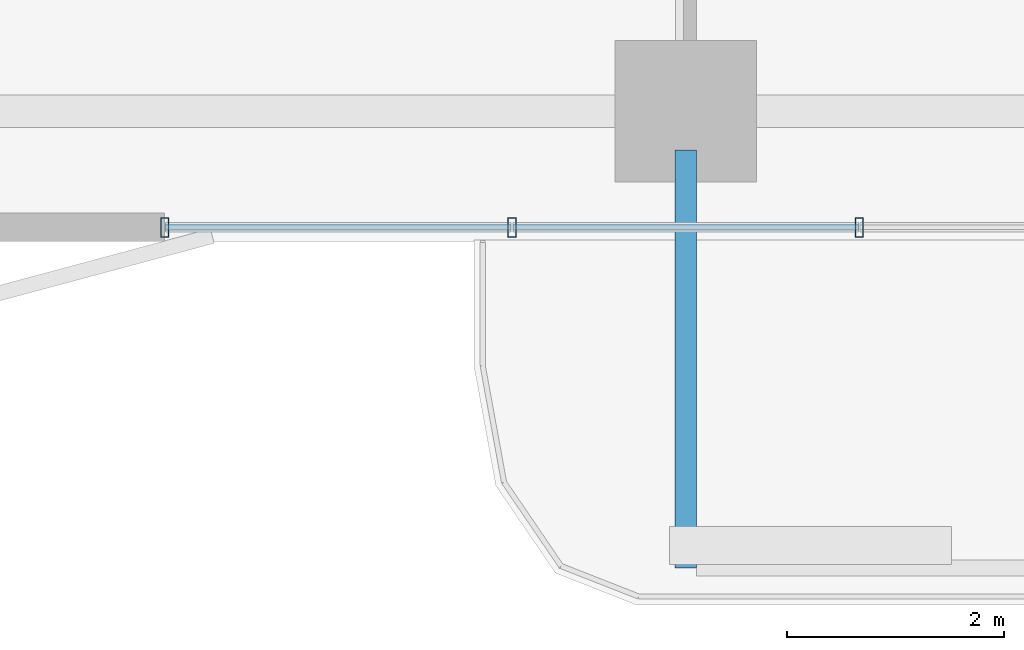
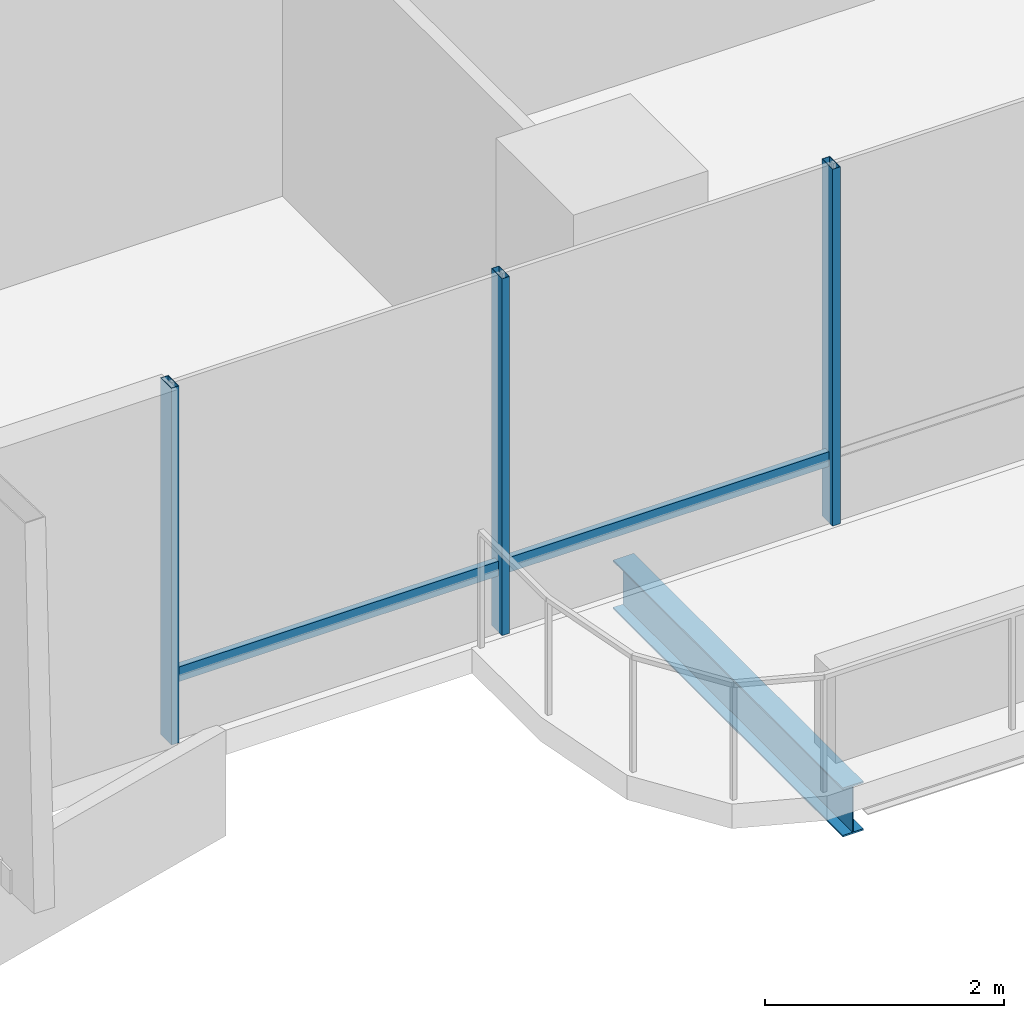
# One storey, part 2 of 24: 5 members, 1 beam, 1 element without a shape of its own.
"""IFC4 building model written with IfcOpenShell, lengths in metres."""

from ifc_helpers import new_model, si_unit, direction, frame, origin, origin_2d, place, context, subcontext, project, spatial, hollow_rectangle, i_section, extrude, material, layer, layer_set, material_profile, profile_set, type_object, element, aggregate, save


model = new_model("IFC4")

# Units and contexts
model_context = context("Model", 3, precision=1e-05, world=origin(), true_north=direction((0.0, 1.0)))
body_context = subcontext(model_context, "Body", "Model", "MODEL_VIEW")
ifc_project = project(units=[si_unit("LENGTHUNIT", "METRE"), si_unit("AREAUNIT", "SQUARE_METRE"), si_unit("VOLUMEUNIT", "CUBIC_METRE"), si_unit("PLANEANGLEUNIT", "RADIAN"), si_unit("MASSUNIT", "GRAM", prefix="KILO")], contexts=[model_context])

# Site, building, storey
site_placement = place(None, origin())
site = spatial("IfcSite", under=ifc_project, at=site_placement, CompositionType="ELEMENT")
building_placement = place(site_placement, origin())
building = spatial("IfcBuilding", under=site, at=building_placement, Name="Belovzor Exchange Tower", CompositionType="ELEMENT")
storey_placement = place(building_placement, frame((0.0, 0.0, 121.199951171875)))
storey = spatial("IfcBuildingStorey", under=building, at=storey_placement, Name="L29", CompositionType="ELEMENT", Elevation=121.199951171875)

# Beam
ifc_material_1 = material(Name="Steel S355", Category="steel")
ifc_material_profile_1 = material_profile(ifc_material_1, i_section(OverallWidth=0.199951171875, OverallDepth=0.5, WebThickness=0.01025390625, FlangeThickness=0.01611328125, at=origin_2d()))
ifc_profile_set_1 = profile_set([ifc_material_profile_1], Name="Steel S355")
beam_type = type_object("IfcBeamType", Name="Planted Balcony Cantilever Beam IPE 500", PredefinedType="BEAM", material=ifc_profile_set_1)
beam_placement = place(storey_placement, frame((28.800048828125, 3.5419921875, -0.5), z_axis=(0.0, -1.0, 0.0), x_axis=(1.0, 0.0, 0.0)))
element("IfcBeam", 1, at=beam_placement, inside=storey, type_object=beam_type, Name="BC-500 Planted Balcony Cantilever Beam IPE 500", PredefinedType="BEAM", context=body_context, shape_type="SweptSolid", body=[
    extrude(i_section(OverallWidth=0.199951171875, OverallDepth=0.5, WebThickness=0.01025390625, FlangeThickness=0.01611328125, at=origin_2d()), origin(), (0.0, 0.0, 1.0), 3.85009765625),
])

# Curtain wall, members
ifc_material_2 = material(Name="Anodised Aluminium Framing", Category="aluminium")
ifc_layer = layer(ifc_material_2, 0.179931640625)
ifc_layer_set = layer_set([ifc_layer], Name="Anodised Aluminium Framing")
curtain_wall_type = type_object("IfcCurtainWallType", Name="Recessed Loggia Low-Iron Triple-Glazed Curtain Wall", PredefinedType="NOTDEFINED", material=ifc_layer_set)
curtain_wall_placement = place(storey_placement, origin())
curtain_wall = element("IfcCurtainWall", 2, at=curtain_wall_placement, inside=storey, type_object=curtain_wall_type, Name="CW3 Recessed Loggia Low-Iron Triple-Glazed Curtain Wall L29", PredefinedType="NOTDEFINED")
ifc_material_3 = material(Name="Steel S355", Category="steel")
ifc_material_profile_2 = material_profile(ifc_material_3, hollow_rectangle(XDim=0.074951171875, YDim=0.179931640625, WallThickness=0.0048828125, at=origin_2d()))
ifc_profile_set_2 = profile_set([ifc_material_profile_2], Name="Steel S355")
member_type_1 = type_object("IfcMemberType", Name="Thermally Broken Curtain Wall Mullion 180x75", PredefinedType="MULLION", material=ifc_profile_set_2)
member_1_placement = place(storey_placement, frame((30.39990234375, 2.830078125, 0.0), z_axis=(0.0, 0.0, 1.0), x_axis=(-1.0, 0.0, 0.0)))
member_1 = element("IfcMember", 3, at=member_1_placement, type_object=member_type_1, Name="CW-M180 Curtain Wall Mullion 2", PredefinedType="MULLION", context=body_context, shape_type="SweptSolid", body=[
    extrude(hollow_rectangle(XDim=0.074951171875, YDim=0.179931640625, WallThickness=0.0048828125, at=origin_2d()), origin(), (0.0, 0.0, 1.0), 3.650146484375),
])
member_2_placement = place(storey_placement, frame((27.199951171875, 2.830078125, 0.0), z_axis=(0.0, 0.0, 1.0), x_axis=(-1.0, 0.0, 0.0)))
member_2 = element("IfcMember", 4, at=member_2_placement, type_object=member_type_1, Name="CW-M180 Curtain Wall Mullion 3", PredefinedType="MULLION", context=body_context, shape_type="SweptSolid", body=[
    extrude(hollow_rectangle(XDim=0.074951171875, YDim=0.179931640625, WallThickness=0.0048828125, at=origin_2d()), origin(), (0.0, 0.0, 1.0), 3.650146484375),
])
member_3_placement = place(storey_placement, frame((24.0, 2.830078125, 0.0), z_axis=(0.0, 0.0, 1.0), x_axis=(-1.0, 0.0, 0.0)))
member_3 = element("IfcMember", 5, at=member_3_placement, type_object=member_type_1, Name="CW-M180 Curtain Wall Mullion 4", PredefinedType="MULLION", context=body_context, shape_type="SweptSolid", body=[
    extrude(hollow_rectangle(XDim=0.074951171875, YDim=0.179931640625, WallThickness=0.0048828125, at=origin_2d()), origin(), (0.0, 0.0, 1.0), 3.650146484375),
])
ifc_material_4 = material(Name="Steel S355", Category="steel")
ifc_material_profile_3 = material_profile(ifc_material_4, hollow_rectangle(XDim=0.06005859375, YDim=0.14990234375, WallThickness=0.00390625, at=origin_2d()))
ifc_profile_set_3 = profile_set([ifc_material_profile_3], Name="Steel S355")
member_type_2 = type_object("IfcMemberType", Name="Thermally Broken Curtain Wall Transom 150x60", PredefinedType="USERDEFINED", material=ifc_profile_set_3)
member_4_placement = place(storey_placement, frame((30.39208984375, 2.830078125, 0.650146484375), z_axis=(-1.0, 0.0, 0.0), x_axis=(0.0, -1.0, 0.0)))
member_4 = element("IfcMember", 6, at=member_4_placement, type_object=member_type_2, Name="CW-T150 Curtain Wall Transom 2", ObjectType="TRANSOM", PredefinedType="USERDEFINED", context=body_context, shape_type="SweptSolid", body=[
    extrude(hollow_rectangle(XDim=0.06005859375, YDim=0.14990234375, WallThickness=0.00390625, at=origin_2d()), origin(), (0.0, 0.0, 1.0), 3.18408203125),
])
member_5_placement = place(storey_placement, frame((27.19189453125, 2.830078125, 0.650146484375), z_axis=(-1.0, 0.0, 0.0), x_axis=(0.0, -1.0, 0.0)))
member_5 = element("IfcMember", 7, at=member_5_placement, type_object=member_type_2, Name="CW-T150 Curtain Wall Transom 3", ObjectType="TRANSOM", PredefinedType="USERDEFINED", context=body_context, shape_type="SweptSolid", body=[
    extrude(hollow_rectangle(XDim=0.06005859375, YDim=0.14990234375, WallThickness=0.00390625, at=origin_2d()), origin(), (0.0, 0.0, 1.0), 3.183837890625),
])
aggregate(curtain_wall, [member_1, member_2, member_3, member_4, member_5])

save(model, "model.ifc")
